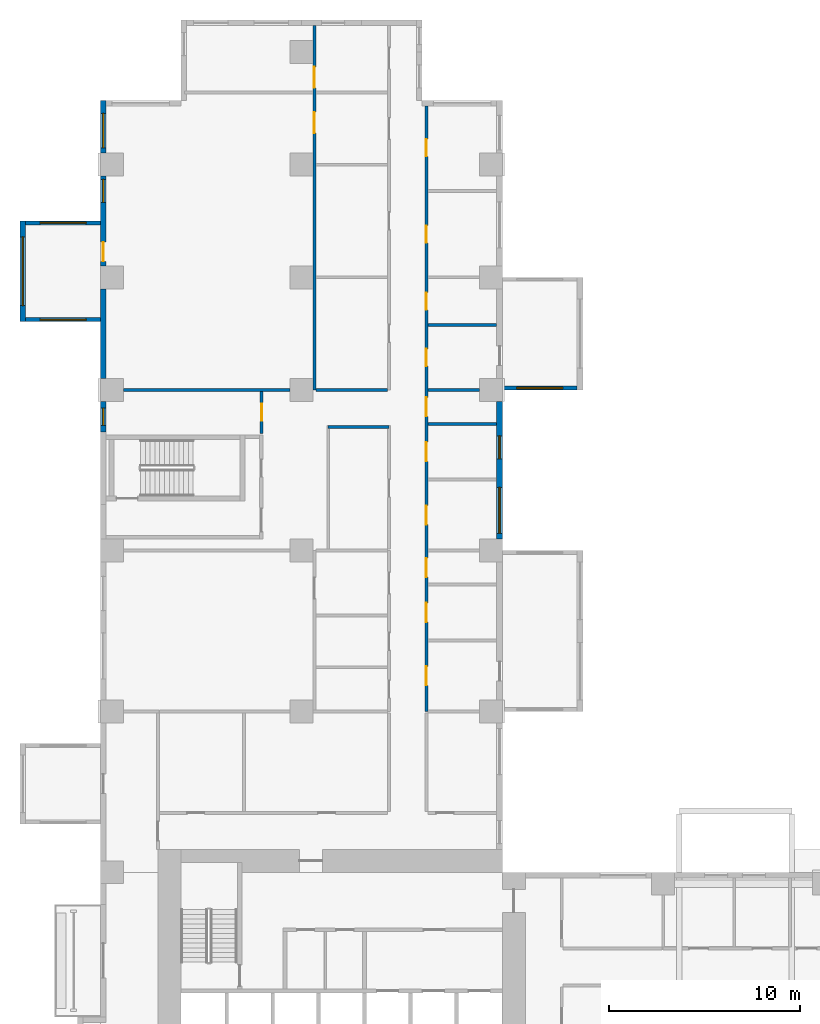
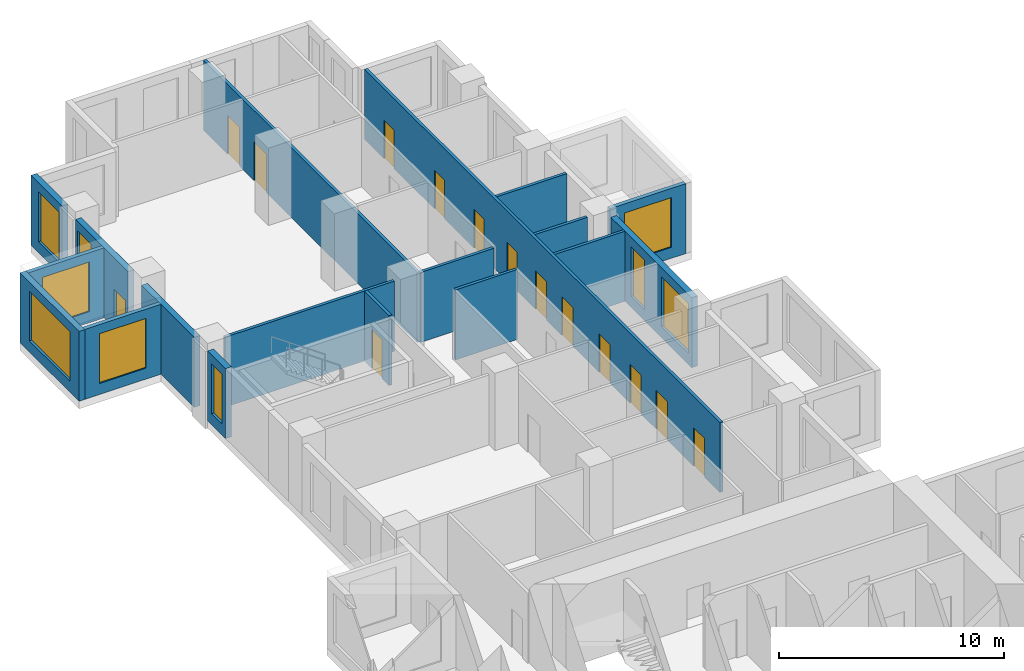
# One storey, part 9 of 17: 18 walls, 14 doors, 9 windows, 23 openings.
"""IFC4 building model written with IfcOpenShell, lengths in metres."""

from ifc_helpers import new_model, si_unit, direction, frame, frame_2d, origin, place, context, subcontext, project, spatial, rectangle, extrude, source, transform, mapped, material, layer, layer_set, type_object, element, fill, save


model = new_model("IFC4")

# Units and contexts
model_context = context("Model", 3, precision=1e-05, world=origin(), true_north=direction((0.0, 1.0)))
body_context = subcontext(model_context, "Body", "Model", "MODEL_VIEW")
ifc_project = project(units=[si_unit("LENGTHUNIT", "METRE"), si_unit("AREAUNIT", "SQUARE_METRE"), si_unit("VOLUMEUNIT", "CUBIC_METRE"), si_unit("PLANEANGLEUNIT", "RADIAN"), si_unit("MASSUNIT", "GRAM", prefix="KILO")], contexts=[model_context])

# Site, building, storey
site_placement = place(None, origin())
site = spatial("IfcSite", under=ifc_project, at=site_placement, CompositionType="ELEMENT")
building_placement = place(site_placement, origin())
building = spatial("IfcBuilding", under=site, at=building_placement, Name="Aurelian Terraces", CompositionType="ELEMENT")
storey_placement = place(building_placement, frame((0.0, 0.0, 48.9)))
storey = spatial("IfcBuildingStorey", under=building, at=storey_placement, Name="L09", CompositionType="ELEMENT", Elevation=48.9)

# Wall, opening, window
ifc_material_1 = material(Name="Concrete fc' 40 MPa", Category="concrete")
ifc_layer_1 = layer(ifc_material_1, 0.3)
ifc_layer_set_1 = layer_set([ifc_layer_1], Name="BOX BEARING WALL 300")
wall_type_1 = type_object("IfcWallType", Name="BOX BEARING WALL 300", PredefinedType="SOLIDWALL", material=ifc_layer_set_1)
wall_1_placement = place(storey_placement, frame((-4.05, 55.02, 0.0), z_axis=(0.0, 0.0, 1.0), x_axis=(0.0, -1.0, 0.0)))
wall_1 = element("IfcWall", 1, at=wall_1_placement, inside=storey, type_object=wall_type_1, Name="Box wall L09 J04", PredefinedType="SOLIDWALL", context=body_context, shape_type="SweptSolid", body=[
    extrude(rectangle(XDim=5.25, YDim=0.3, at=frame_2d((2.625, 0.0))), origin(), (0.0, 0.0, 1.0), 3.8),
])
shared_shape_1 = source(origin(), body_context, "Body", "SweptSolid", [
    extrude(rectangle(XDim=3.6, YDim=2.7, at=frame_2d((1.8, 1.35))), frame((0.0, 0.16, 0.0), z_axis=(0.0, -1.0, 0.0), x_axis=(1.0, 0.0, 0.0)), (0.0, 0.0, 1.0), 0.32),
])
opening_1_placement = place(wall_1_placement, frame((0.825, 0.0, 0.6)))
opening_1 = element("IfcOpeningElement", 2, at=opening_1_placement, cuts=wall_1, Name="Opening W3627", PredefinedType="OPENING", context=body_context, shape_type="MappedRepresentation", body=[
    mapped(shared_shape_1, transform((0.0, 0.0, 0.0), scale=1.0)),
])
ifc_material_2 = material(Name="Clear glazing", Category="glass")
window_type_1 = type_object("IfcWindowType", Name="W-3600x2700", PartitioningType="SINGLE_PANEL", PredefinedType="WINDOW", material=ifc_material_2)
shared_shape_2 = source(origin(), body_context, "Body", "SweptSolid", [
    extrude(rectangle(XDim=3.6, YDim=2.7, at=frame_2d((1.8, 1.35))), frame((0.0, 0.03, 0.0), z_axis=(0.0, -1.0, 0.0), x_axis=(1.0, 0.0, 0.0)), (0.0, 0.0, 1.0), 0.06),
])
window_1_placement = place(opening_1_placement, origin())
window_1 = element("IfcWindow", 3, at=window_1_placement, inside=storey, type_object=window_type_1, Name="Window L09 J04-F1", OverallHeight=2.7, OverallWidth=3.6, PartitioningType="SINGLE_PANEL", PredefinedType="WINDOW", context=body_context, shape_type="MappedRepresentation", body=[
    mapped(shared_shape_2, transform((0.0, 0.0, 0.0), scale=1.0)),
])
fill(opening_1, window_1)

# Wall, openings, doors
ifc_material_3 = material(Name="Gypsum board on steel studs", Category="steel")
ifc_layer_2 = layer(ifc_material_3, 0.15)
ifc_layer_set_2 = layer_set([ifc_layer_2], Name="Fire partition 150")
wall_type_2 = type_object("IfcWallType", Name="Fire partition 150", PredefinedType="PARTITIONING", material=ifc_layer_set_2)
wall_2_placement = place(storey_placement, frame((17.025, 61.02, 0.0), z_axis=(0.0, 0.0, 1.0), x_axis=(0.0, -1.0, 0.0)))
wall_2 = element("IfcWall", 4, at=wall_2_placement, inside=storey, type_object=wall_type_2, Name="Corridor wall", PredefinedType="PARTITIONING", context=body_context, shape_type="SweptSolid", body=[
    extrude(rectangle(XDim=31.62, YDim=0.15, at=frame_2d((15.81, 0.0))), origin(), (0.0, 0.0, 1.0), 3.8),
])
shared_shape_3 = source(origin(), body_context, "Body", "SweptSolid", [
    extrude(rectangle(XDim=1.0, YDim=2.1, at=frame_2d((0.5, 1.05))), frame((0.0, 0.085, 0.0), z_axis=(0.0, -1.0, 0.0), x_axis=(1.0, 0.0, 0.0)), (0.0, 0.0, 1.0), 0.17),
])
opening_2_placement = place(wall_2_placement, frame((29.2633, 0.0, 0.0)))
opening_2 = element("IfcOpeningElement", 5, at=opening_2_placement, cuts=wall_2, Name="Opening 709042", PredefinedType="OPENING", context=body_context, shape_type="MappedRepresentation", body=[
    mapped(shared_shape_3, transform((0.0, 0.0, 0.0), scale=1.0)),
])
opening_3_placement = place(wall_2_placement, frame((25.9514, 0.0, 0.0)))
opening_3 = element("IfcOpeningElement", 6, at=opening_3_placement, cuts=wall_2, Name="Opening 709043", PredefinedType="OPENING", context=body_context, shape_type="MappedRepresentation", body=[
    mapped(shared_shape_3, transform((0.0, 0.0, 0.0), scale=1.0)),
])
opening_4_placement = place(wall_2_placement, frame((23.608, 0.0, 0.0)))
opening_4 = element("IfcOpeningElement", 7, at=opening_4_placement, cuts=wall_2, Name="Opening 709044", PredefinedType="OPENING", context=body_context, shape_type="MappedRepresentation", body=[
    mapped(shared_shape_3, transform((0.0, 0.0, 0.0), scale=1.0)),
])
opening_5_placement = place(wall_2_placement, frame((20.8633, 0.0, 0.0)))
opening_5 = element("IfcOpeningElement", 8, at=opening_5_placement, cuts=wall_2, Name="Opening 709045", PredefinedType="OPENING", context=body_context, shape_type="MappedRepresentation", body=[
    mapped(shared_shape_3, transform((0.0, 0.0, 0.0), scale=1.0)),
])
opening_6_placement = place(wall_2_placement, frame((17.5514, 0.0, 0.0)))
opening_6 = element("IfcOpeningElement", 9, at=opening_6_placement, cuts=wall_2, Name="Opening 709046", PredefinedType="OPENING", context=body_context, shape_type="MappedRepresentation", body=[
    mapped(shared_shape_3, transform((0.0, 0.0, 0.0), scale=1.0)),
])
opening_7_placement = place(wall_2_placement, frame((15.208, 0.0, 0.0)))
opening_7 = element("IfcOpeningElement", 10, at=opening_7_placement, cuts=wall_2, Name="Opening 709047", PredefinedType="OPENING", context=body_context, shape_type="MappedRepresentation", body=[
    mapped(shared_shape_3, transform((0.0, 0.0, 0.0), scale=1.0)),
])
shared_shape_4 = source(origin(), body_context, "Body", "SweptSolid", [
    extrude(rectangle(XDim=0.9, YDim=2.1, at=frame_2d((0.45, 1.05))), frame((0.0, 0.085, 0.0), z_axis=(0.0, -1.0, 0.0), x_axis=(1.0, 0.0, 0.0)), (0.0, 0.0, 1.0), 0.17),
])
opening_8_placement = place(wall_2_placement, frame((12.6767, 0.0, 0.0)))
opening_8 = element("IfcOpeningElement", 11, at=opening_8_placement, cuts=wall_2, Name="Opening 709048", PredefinedType="OPENING", context=body_context, shape_type="MappedRepresentation", body=[
    mapped(shared_shape_4, transform((0.0, 0.0, 0.0), scale=1.0)),
])
opening_9_placement = place(wall_2_placement, frame((9.7367, 0.0, 0.0)))
opening_9 = element("IfcOpeningElement", 12, at=opening_9_placement, cuts=wall_2, Name="Opening 709049", PredefinedType="OPENING", context=body_context, shape_type="MappedRepresentation", body=[
    mapped(shared_shape_4, transform((0.0, 0.0, 0.0), scale=1.0)),
])
opening_10_placement = place(wall_2_placement, frame((6.2362, 0.0, 0.0)))
opening_10 = element("IfcOpeningElement", 13, at=opening_10_placement, cuts=wall_2, Name="Opening 709050", PredefinedType="OPENING", context=body_context, shape_type="MappedRepresentation", body=[
    mapped(shared_shape_4, transform((0.0, 0.0, 0.0), scale=1.0)),
])
opening_11_placement = place(wall_2_placement, frame((1.7288, 0.0, 0.0)))
opening_11 = element("IfcOpeningElement", 14, at=opening_11_placement, cuts=wall_2, Name="Opening 709051", PredefinedType="OPENING", context=body_context, shape_type="MappedRepresentation", body=[
    mapped(shared_shape_4, transform((0.0, 0.0, 0.0), scale=1.0)),
])
ifc_material_4 = material(Name="Timber door leaf", Category="wood")
door_type_1 = type_object("IfcDoorType", Name="Room door 1000x2100 right", OperationType="SINGLE_SWING_RIGHT", PredefinedType="DOOR", material=ifc_material_4)
shared_shape_5 = source(origin(), body_context, "Body", "SweptSolid", [
    extrude(rectangle(XDim=1.0, YDim=2.1, at=frame_2d((0.5, 1.05))), frame((0.0, 0.025, 0.0), z_axis=(0.0, -1.0, 0.0), x_axis=(1.0, 0.0, 0.0)), (0.0, 0.0, 1.0), 0.05),
])
door_1_placement = place(opening_2_placement, origin())
door_1 = element("IfcDoor", 15, at=door_1_placement, inside=storey, type_object=door_type_1, Name="Door 709042", OperationType="SINGLE_SWING_RIGHT", OverallHeight=2.1, OverallWidth=1.0, PredefinedType="DOOR", context=body_context, shape_type="MappedRepresentation", body=[
    mapped(shared_shape_5, transform((0.0, 0.0, 0.0), scale=1.0)),
])
fill(opening_2, door_1)
door_type_2 = type_object("IfcDoorType", Name="Room door 1000x2100 left", OperationType="SINGLE_SWING_LEFT", PredefinedType="DOOR", material=ifc_material_4)
door_2_placement = place(opening_3_placement, origin())
door_2 = element("IfcDoor", 16, at=door_2_placement, inside=storey, type_object=door_type_2, Name="Door 709043", OperationType="SINGLE_SWING_LEFT", OverallHeight=2.1, OverallWidth=1.0, PredefinedType="DOOR", context=body_context, shape_type="MappedRepresentation", body=[
    mapped(shared_shape_5, transform((0.0, 0.0, 0.0), scale=1.0)),
])
fill(opening_3, door_2)
door_3_placement = place(opening_4_placement, origin())
door_3 = element("IfcDoor", 17, at=door_3_placement, inside=storey, type_object=door_type_1, Name="Door 709044", OperationType="SINGLE_SWING_RIGHT", OverallHeight=2.1, OverallWidth=1.0, PredefinedType="DOOR", context=body_context, shape_type="MappedRepresentation", body=[
    mapped(shared_shape_5, transform((0.0, 0.0, 0.0), scale=1.0)),
])
fill(opening_4, door_3)
door_4_placement = place(opening_5_placement, origin())
door_4 = element("IfcDoor", 18, at=door_4_placement, inside=storey, type_object=door_type_1, Name="Door 709045", OperationType="SINGLE_SWING_RIGHT", OverallHeight=2.1, OverallWidth=1.0, PredefinedType="DOOR", context=body_context, shape_type="MappedRepresentation", body=[
    mapped(shared_shape_5, transform((0.0, 0.0, 0.0), scale=1.0)),
])
fill(opening_5, door_4)
door_5_placement = place(opening_6_placement, origin())
door_5 = element("IfcDoor", 19, at=door_5_placement, inside=storey, type_object=door_type_2, Name="Door 709046", OperationType="SINGLE_SWING_LEFT", OverallHeight=2.1, OverallWidth=1.0, PredefinedType="DOOR", context=body_context, shape_type="MappedRepresentation", body=[
    mapped(shared_shape_5, transform((0.0, 0.0, 0.0), scale=1.0)),
])
fill(opening_6, door_5)
door_6_placement = place(opening_7_placement, origin())
door_6 = element("IfcDoor", 20, at=door_6_placement, inside=storey, type_object=door_type_1, Name="Door 709047", OperationType="SINGLE_SWING_RIGHT", OverallHeight=2.1, OverallWidth=1.0, PredefinedType="DOOR", context=body_context, shape_type="MappedRepresentation", body=[
    mapped(shared_shape_5, transform((0.0, 0.0, 0.0), scale=1.0)),
])
fill(opening_7, door_6)
door_type_3 = type_object("IfcDoorType", Name="Room door 900x2100 right", OperationType="SINGLE_SWING_RIGHT", PredefinedType="DOOR", material=ifc_material_4)
shared_shape_6 = source(origin(), body_context, "Body", "SweptSolid", [
    extrude(rectangle(XDim=0.9, YDim=2.1, at=frame_2d((0.45, 1.05))), frame((0.0, 0.025, 0.0), z_axis=(0.0, -1.0, 0.0), x_axis=(1.0, 0.0, 0.0)), (0.0, 0.0, 1.0), 0.05),
])
door_7_placement = place(opening_8_placement, origin())
door_7 = element("IfcDoor", 21, at=door_7_placement, inside=storey, type_object=door_type_3, Name="Door 709048", OperationType="SINGLE_SWING_RIGHT", OverallHeight=2.1, OverallWidth=0.9, PredefinedType="DOOR", context=body_context, shape_type="MappedRepresentation", body=[
    mapped(shared_shape_6, transform((0.0, 0.0, 0.0), scale=1.0)),
])
fill(opening_8, door_7)
door_type_4 = type_object("IfcDoorType", Name="Room door 900x2100 left", OperationType="SINGLE_SWING_LEFT", PredefinedType="DOOR", material=ifc_material_4)
door_8_placement = place(opening_9_placement, origin())
door_8 = element("IfcDoor", 22, at=door_8_placement, inside=storey, type_object=door_type_4, Name="Door 709049", OperationType="SINGLE_SWING_LEFT", OverallHeight=2.1, OverallWidth=0.9, PredefinedType="DOOR", context=body_context, shape_type="MappedRepresentation", body=[
    mapped(shared_shape_6, transform((0.0, 0.0, 0.0), scale=1.0)),
])
fill(opening_9, door_8)
door_9_placement = place(opening_10_placement, origin())
door_9 = element("IfcDoor", 23, at=door_9_placement, inside=storey, type_object=door_type_3, Name="Door 709050", OperationType="SINGLE_SWING_RIGHT", OverallHeight=2.1, OverallWidth=0.9, PredefinedType="DOOR", context=body_context, shape_type="MappedRepresentation", body=[
    mapped(shared_shape_6, transform((0.0, 0.0, 0.0), scale=1.0)),
])
fill(opening_10, door_9)
door_10_placement = place(opening_11_placement, origin())
door_10 = element("IfcDoor", 24, at=door_10_placement, inside=storey, type_object=door_type_4, Name="Door 709051", OperationType="SINGLE_SWING_LEFT", OverallHeight=2.1, OverallWidth=0.9, PredefinedType="DOOR", context=body_context, shape_type="MappedRepresentation", body=[
    mapped(shared_shape_6, transform((0.0, 0.0, 0.0), scale=1.0)),
])
fill(opening_11, door_10)

# Wall
ifc_layer_3 = layer(ifc_material_3, 0.15)
ifc_layer_set_3 = layer_set([ifc_layer_3], Name="Partition 150")
wall_type_3 = type_object("IfcWallType", Name="Partition 150", PredefinedType="PARTITIONING", material=ifc_layer_set_3)
wall_3_placement = place(storey_placement, frame((15.075, 44.25, 0.0), z_axis=(0.0, 0.0, 1.0), x_axis=(-1.0, 0.0, 0.0)))
element("IfcWall", 25, at=wall_3_placement, inside=storey, type_object=wall_type_3, Name="Partition", PredefinedType="PARTITIONING", context=body_context, shape_type="SweptSolid", body=[
    extrude(rectangle(XDim=3.175, YDim=0.15, at=frame_2d((1.5875, 0.0))), origin(), (0.0, 0.0, 1.0), 3.8),
])

# Wall, openings, windows
ifc_material_5 = material(Name="Terracotta rainscreen cladding", Category="masonry")
ifc_layer_4 = layer(ifc_material_5, 0.3)
ifc_layer_set_4 = layer_set([ifc_layer_4], Name="EW-300")
wall_type_4 = type_object("IfcWallType", Name="EW-300", PredefinedType="STANDARD", material=ifc_layer_set_4)
shared_shape_7 = source(origin(), body_context, "Body", "SweptSolid", [
    extrude(rectangle(XDim=7.2, YDim=0.3, at=frame_2d((3.6, 0.0))), origin(), (0.0, 0.0, 1.0), 3.8),
])
wall_4_placement = place(storey_placement, frame((20.85, 38.4, 0.0), z_axis=(0.0, 0.0, 1.0), x_axis=(0.0, 1.0, 0.0)))
wall_4 = element("IfcWall", 26, at=wall_4_placement, inside=storey, type_object=wall_type_4, Name="External wall L09 F12.28", PredefinedType="STANDARD", context=body_context, shape_type="MappedRepresentation", body=[
    mapped(shared_shape_7, transform((0.0, 0.0, 0.0), scale=1.0)),
])
shared_shape_8 = source(origin(), body_context, "Body", "SweptSolid", [
    extrude(rectangle(XDim=2.4, YDim=2.7, at=frame_2d((1.2, 1.35))), frame((0.0, 0.16, 0.0), z_axis=(0.0, -1.0, 0.0), x_axis=(1.0, 0.0, 0.0)), (0.0, 0.0, 1.0), 0.32),
])
opening_12_placement = place(wall_4_placement, frame((0.3, 0.0, 0.6)))
opening_12 = element("IfcOpeningElement", 27, at=opening_12_placement, cuts=wall_4, Name="Opening W2427", PredefinedType="OPENING", context=body_context, shape_type="MappedRepresentation", body=[
    mapped(shared_shape_8, transform((0.0, 0.0, 0.0), scale=1.0)),
])
shared_shape_9 = source(origin(), body_context, "Body", "SweptSolid", [
    extrude(rectangle(XDim=1.2, YDim=2.7, at=frame_2d((0.6, 1.35))), frame((0.0, 0.16, 0.0), z_axis=(0.0, -1.0, 0.0), x_axis=(1.0, 0.0, 0.0)), (0.0, 0.0, 1.0), 0.32),
])
opening_13_placement = place(wall_4_placement, frame((4.1995, 0.0, 0.6)))
opening_13 = element("IfcOpeningElement", 28, at=opening_13_placement, cuts=wall_4, Name="Opening W1227", PredefinedType="OPENING", context=body_context, shape_type="MappedRepresentation", body=[
    mapped(shared_shape_9, transform((0.0, 0.0, 0.0), scale=1.0)),
])
window_type_2 = type_object("IfcWindowType", Name="W-2400x2700", PartitioningType="SINGLE_PANEL", PredefinedType="WINDOW", material=ifc_material_2)
shared_shape_10 = source(origin(), body_context, "Body", "SweptSolid", [
    extrude(rectangle(XDim=2.4, YDim=2.7, at=frame_2d((1.2, 1.35))), frame((0.0, 0.03, 0.0), z_axis=(0.0, -1.0, 0.0), x_axis=(1.0, 0.0, 0.0)), (0.0, 0.0, 1.0), 0.06),
])
window_2_placement = place(opening_12_placement, origin())
window_2 = element("IfcWindow", 29, at=window_2_placement, inside=storey, type_object=window_type_2, Name="Window L09 L09-F12-28-0", OverallHeight=2.7, OverallWidth=2.4, PartitioningType="SINGLE_PANEL", PredefinedType="WINDOW", context=body_context, shape_type="MappedRepresentation", body=[
    mapped(shared_shape_10, transform((0.0, 0.0, 0.0), scale=1.0)),
])
fill(opening_12, window_2)
window_type_3 = type_object("IfcWindowType", Name="W-1200x2700", PartitioningType="SINGLE_PANEL", PredefinedType="WINDOW", material=ifc_material_2)
shared_shape_11 = source(origin(), body_context, "Body", "SweptSolid", [
    extrude(rectangle(XDim=1.2, YDim=2.7, at=frame_2d((0.6, 1.35))), frame((0.0, 0.03, 0.0), z_axis=(0.0, -1.0, 0.0), x_axis=(1.0, 0.0, 0.0)), (0.0, 0.0, 1.0), 0.06),
])
window_3_placement = place(opening_13_placement, origin())
window_3 = element("IfcWindow", 30, at=window_3_placement, inside=storey, type_object=window_type_3, Name="Window L09 L09-F12-28-G0-33", OverallHeight=2.7, OverallWidth=1.2, PartitioningType="SINGLE_PANEL", PredefinedType="WINDOW", context=body_context, shape_type="MappedRepresentation", body=[
    mapped(shared_shape_11, transform((0.0, 0.0, 0.0), scale=1.0)),
])
fill(opening_13, window_3)

# Wall, openings, window, door
shared_shape_12 = source(origin(), body_context, "Body", "SweptSolid", [
    extrude(rectangle(XDim=4.68, YDim=0.3, at=frame_2d((2.34, 0.0))), origin(), (0.0, 0.0, 1.0), 3.8),
])
wall_5_placement = place(storey_placement, frame((0.15, 57.36, 0.0), z_axis=(0.0, 0.0, 1.0), x_axis=(0.0, -1.0, 0.0)))
wall_5 = element("IfcWall", 31, at=wall_5_placement, inside=storey, type_object=wall_type_4, Name="External wall L09 F18.40", PredefinedType="STANDARD", context=body_context, shape_type="MappedRepresentation", body=[
    mapped(shared_shape_12, transform((0.0, 0.0, 0.0), scale=1.0)),
])
opening_14_placement = place(wall_5_placement, frame((0.165, 0.0, 0.6)))
opening_14 = element("IfcOpeningElement", 32, at=opening_14_placement, cuts=wall_5, Name="Opening W1227", PredefinedType="OPENING", context=body_context, shape_type="MappedRepresentation", body=[
    mapped(shared_shape_9, transform((0.0, 0.0, 0.0), scale=1.0)),
])
shared_shape_13 = source(origin(), body_context, "Body", "SweptSolid", [
    extrude(rectangle(XDim=1.0, YDim=2.1, at=frame_2d((0.5, 1.05))), frame((0.0, 0.16, 0.0), z_axis=(0.0, -1.0, 0.0), x_axis=(1.0, 0.0, 0.0)), (0.0, 0.0, 1.0), 0.32),
])
opening_15_placement = place(wall_5_placement, frame((3.4442, 0.0, 0.0)))
opening_15 = element("IfcOpeningElement", 33, at=opening_15_placement, cuts=wall_5, Name="Opening 809004", PredefinedType="OPENING", context=body_context, shape_type="MappedRepresentation", body=[
    mapped(shared_shape_13, transform((0.0, 0.0, 0.0), scale=1.0)),
])
window_4_placement = place(opening_14_placement, origin())
window_4 = element("IfcWindow", 34, at=window_4_placement, inside=storey, type_object=window_type_3, Name="Window L09 L09-F18-40-1", OverallHeight=2.7, OverallWidth=1.2, PartitioningType="SINGLE_PANEL", PredefinedType="WINDOW", context=body_context, shape_type="MappedRepresentation", body=[
    mapped(shared_shape_11, transform((0.0, 0.0, 0.0), scale=1.0)),
])
fill(opening_14, window_4)
door_11_placement = place(opening_15_placement, origin())
door_11 = element("IfcDoor", 35, at=door_11_placement, inside=storey, type_object=door_type_2, Name="Door 809004", OperationType="SINGLE_SWING_LEFT", OverallHeight=2.1, OverallWidth=1.0, PredefinedType="DOOR", context=body_context, shape_type="MappedRepresentation", body=[
    mapped(shared_shape_5, transform((0.0, 0.0, 0.0), scale=1.0)),
])
fill(opening_15, door_11)

# Wall
wall_6_placement = place(storey_placement, frame((0.15, 51.48, 0.0), z_axis=(0.0, 0.0, 1.0), x_axis=(0.0, -1.0, 0.0)))
element("IfcWall", 36, at=wall_6_placement, inside=storey, type_object=wall_type_4, Name="External wall L09 F18.40", PredefinedType="STANDARD", context=body_context, shape_type="MappedRepresentation", body=[
    mapped(shared_shape_12, transform((0.0, 0.0, 0.0), scale=1.0)),
])

# Wall, opening, window
shared_shape_14 = source(origin(), body_context, "Body", "SweptSolid", [
    extrude(rectangle(XDim=2.76, YDim=0.3, at=frame_2d((1.38, 0.0))), origin(), (0.0, 0.0, 1.0), 3.8),
])
wall_7_placement = place(storey_placement, frame((0.15, 61.32, 0.0), z_axis=(0.0, 0.0, 1.0), x_axis=(0.0, -1.0, 0.0)))
wall_7 = element("IfcWall", 37, at=wall_7_placement, inside=storey, type_object=wall_type_4, Name="External wall L09 F18.40", PredefinedType="STANDARD", context=body_context, shape_type="MappedRepresentation", body=[
    mapped(shared_shape_14, transform((0.0, 0.0, 0.0), scale=1.0)),
])
shared_shape_15 = source(origin(), body_context, "Body", "SweptSolid", [
    extrude(rectangle(XDim=1.8, YDim=2.7, at=frame_2d((0.9, 1.35))), frame((0.0, 0.16, 0.0), z_axis=(0.0, -1.0, 0.0), x_axis=(1.0, 0.0, 0.0)), (0.0, 0.0, 1.0), 0.32),
])
opening_16_placement = place(wall_7_placement, frame((0.675, 0.0, 0.6)))
opening_16 = element("IfcOpeningElement", 38, at=opening_16_placement, cuts=wall_7, Name="Opening W1827", PredefinedType="OPENING", context=body_context, shape_type="MappedRepresentation", body=[
    mapped(shared_shape_15, transform((0.0, 0.0, 0.0), scale=1.0)),
])
window_type_4 = type_object("IfcWindowType", Name="W-1800x2700", PartitioningType="SINGLE_PANEL", PredefinedType="WINDOW", material=ifc_material_2)
shared_shape_16 = source(origin(), body_context, "Body", "SweptSolid", [
    extrude(rectangle(XDim=1.8, YDim=2.7, at=frame_2d((0.9, 1.35))), frame((0.0, 0.03, 0.0), z_axis=(0.0, -1.0, 0.0), x_axis=(1.0, 0.0, 0.0)), (0.0, 0.0, 1.0), 0.06),
])
window_5_placement = place(opening_16_placement, origin())
window_5 = element("IfcWindow", 39, at=window_5_placement, inside=storey, type_object=window_type_4, Name="Window L09 L09-F18-40-0", OverallHeight=2.7, OverallWidth=1.8, PartitioningType="SINGLE_PANEL", PredefinedType="WINDOW", context=body_context, shape_type="MappedRepresentation", body=[
    mapped(shared_shape_16, transform((0.0, 0.0, 0.0), scale=1.0)),
])
fill(opening_16, window_5)

shared_shape_17 = source(origin(), body_context, "Body", "SweptSolid", [
    extrude(rectangle(XDim=1.6, YDim=0.3, at=frame_2d((0.8, 0.0))), origin(), (0.0, 0.0, 1.0), 3.8),
])
wall_8_placement = place(storey_placement, frame((0.15, 45.6, 0.0), z_axis=(0.0, 0.0, 1.0), x_axis=(0.0, -1.0, 0.0)))
wall_8 = element("IfcWall", 40, at=wall_8_placement, inside=storey, type_object=wall_type_4, Name="External wall L09 F18.40", PredefinedType="STANDARD", context=body_context, shape_type="MappedRepresentation", body=[
    mapped(shared_shape_17, transform((0.0, 0.0, 0.0), scale=1.0)),
])
shared_shape_18 = source(origin(), body_context, "Body", "SweptSolid", [
    extrude(rectangle(XDim=0.9, YDim=2.7, at=frame_2d((0.45, 1.35))), frame((0.0, 0.16, 0.0), z_axis=(0.0, -1.0, 0.0), x_axis=(1.0, 0.0, 0.0)), (0.0, 0.0, 1.0), 0.32),
])
opening_17_placement = place(wall_8_placement, frame((0.35, 0.0, 0.6)))
opening_17 = element("IfcOpeningElement", 41, at=opening_17_placement, cuts=wall_8, Name="Opening W0927", PredefinedType="OPENING", context=body_context, shape_type="MappedRepresentation", body=[
    mapped(shared_shape_18, transform((0.0, 0.0, 0.0), scale=1.0)),
])
window_type_5 = type_object("IfcWindowType", Name="W-900x2700", PartitioningType="SINGLE_PANEL", PredefinedType="WINDOW", material=ifc_material_2)
shared_shape_19 = source(origin(), body_context, "Body", "SweptSolid", [
    extrude(rectangle(XDim=0.9, YDim=2.7, at=frame_2d((0.45, 1.35))), frame((0.0, 0.03, 0.0), z_axis=(0.0, -1.0, 0.0), x_axis=(1.0, 0.0, 0.0)), (0.0, 0.0, 1.0), 0.06),
])
window_6_placement = place(opening_17_placement, origin())
window_6 = element("IfcWindow", 42, at=window_6_placement, inside=storey, type_object=window_type_5, Name="Window L09 L09-F18-40-P3", OverallHeight=2.7, OverallWidth=0.9, PartitioningType="SINGLE_PANEL", PredefinedType="WINDOW", context=body_context, shape_type="MappedRepresentation", body=[
    mapped(shared_shape_19, transform((0.0, 0.0, 0.0), scale=1.0)),
])
fill(opening_17, window_6)

ifc_layer_5 = layer(ifc_material_1, 0.2)
ifc_layer_set_5 = layer_set([ifc_layer_5], Name="BOX BEARING WALL 200")
wall_type_5 = type_object("IfcWallType", Name="BOX BEARING WALL 200", PredefinedType="SOLIDWALL", material=ifc_layer_set_5)
shared_shape_20 = source(origin(), body_context, "Body", "SweptSolid", [
    extrude(rectangle(XDim=3.9, YDim=0.2, at=frame_2d((1.95, 0.0))), origin(), (0.0, 0.0, 1.0), 3.8),
])
wall_9_placement = place(storey_placement, frame((21.0, 46.3, 0.0), z_axis=(0.0, 0.0, 1.0), x_axis=(1.0, 0.0, 0.0)))
wall_9 = element("IfcWall", 43, at=wall_9_placement, inside=storey, type_object=wall_type_5, Name="Box return L09 J02.1", PredefinedType="SOLIDWALL", context=body_context, shape_type="MappedRepresentation", body=[
    mapped(shared_shape_20, transform((0.0, 0.0, 0.0), scale=1.0)),
])
shared_shape_21 = source(origin(), body_context, "Body", "SweptSolid", [
    extrude(rectangle(XDim=2.4, YDim=2.7, at=frame_2d((1.2, 1.35))), frame((0.0, 0.11, 0.0), z_axis=(0.0, -1.0, 0.0), x_axis=(1.0, 0.0, 0.0)), (0.0, 0.0, 1.0), 0.22),
])
opening_18_placement = place(wall_9_placement, frame((0.75, 0.0, 0.6)))
opening_18 = element("IfcOpeningElement", 44, at=opening_18_placement, cuts=wall_9, Name="Opening W2427", PredefinedType="OPENING", context=body_context, shape_type="MappedRepresentation", body=[
    mapped(shared_shape_21, transform((0.0, 0.0, 0.0), scale=1.0)),
])
window_7_placement = place(opening_18_placement, origin())
window_7 = element("IfcWindow", 45, at=window_7_placement, inside=storey, type_object=window_type_2, Name="Window L09 J02-S1", OverallHeight=2.7, OverallWidth=2.4, PartitioningType="SINGLE_PANEL", PredefinedType="WINDOW", context=body_context, shape_type="MappedRepresentation", body=[
    mapped(shared_shape_10, transform((0.0, 0.0, 0.0), scale=1.0)),
])
fill(opening_18, window_7)

wall_10_placement = place(storey_placement, frame((0.0, 54.92, 0.0), z_axis=(0.0, 0.0, 1.0), x_axis=(-1.0, 0.0, 0.0)))
wall_10 = element("IfcWall", 46, at=wall_10_placement, inside=storey, type_object=wall_type_5, Name="Box return L09 J04.1", PredefinedType="SOLIDWALL", context=body_context, shape_type="MappedRepresentation", body=[
    mapped(shared_shape_20, transform((0.0, 0.0, 0.0), scale=1.0)),
])
opening_19_placement = place(wall_10_placement, frame((0.75, 0.0, 0.6)))
opening_19 = element("IfcOpeningElement", 47, at=opening_19_placement, cuts=wall_10, Name="Opening W2427", PredefinedType="OPENING", context=body_context, shape_type="MappedRepresentation", body=[
    mapped(shared_shape_21, transform((0.0, 0.0, 0.0), scale=1.0)),
])
window_8_placement = place(opening_19_placement, origin())
window_8 = element("IfcWindow", 48, at=window_8_placement, inside=storey, type_object=window_type_2, Name="Window L09 J04-S1", OverallHeight=2.7, OverallWidth=2.4, PartitioningType="SINGLE_PANEL", PredefinedType="WINDOW", context=body_context, shape_type="MappedRepresentation", body=[
    mapped(shared_shape_10, transform((0.0, 0.0, 0.0), scale=1.0)),
])
fill(opening_19, window_8)

wall_11_placement = place(storey_placement, frame((0.0, 49.87, 0.0), z_axis=(0.0, 0.0, 1.0), x_axis=(-1.0, 0.0, 0.0)))
wall_11 = element("IfcWall", 49, at=wall_11_placement, inside=storey, type_object=wall_type_5, Name="Box return L09 J04.2", PredefinedType="SOLIDWALL", context=body_context, shape_type="MappedRepresentation", body=[
    mapped(shared_shape_20, transform((0.0, 0.0, 0.0), scale=1.0)),
])
opening_20_placement = place(wall_11_placement, frame((0.75, 0.0, 0.6)))
opening_20 = element("IfcOpeningElement", 50, at=opening_20_placement, cuts=wall_11, Name="Opening W2427", PredefinedType="OPENING", context=body_context, shape_type="MappedRepresentation", body=[
    mapped(shared_shape_21, transform((0.0, 0.0, 0.0), scale=1.0)),
])
window_9_placement = place(opening_20_placement, origin())
window_9 = element("IfcWindow", 51, at=window_9_placement, inside=storey, type_object=window_type_2, Name="Window L09 J04-S2", OverallHeight=2.7, OverallWidth=2.4, PartitioningType="SINGLE_PANEL", PredefinedType="WINDOW", context=body_context, shape_type="MappedRepresentation", body=[
    mapped(shared_shape_10, transform((0.0, 0.0, 0.0), scale=1.0)),
])
fill(opening_20, window_9)

# Walls
shared_shape_22 = source(origin(), body_context, "Body", "SweptSolid", [
    extrude(rectangle(XDim=3.75, YDim=0.15, at=frame_2d((1.875, 0.0))), origin(), (0.0, 0.0, 1.0), 3.8),
])
wall_12_placement = place(storey_placement, frame((15.0, 46.2, 0.0), z_axis=(0.0, 0.0, 1.0), x_axis=(-1.0, 0.0, 0.0)))
element("IfcWall", 52, at=wall_12_placement, inside=storey, type_object=wall_type_3, Name="Partition", PredefinedType="PARTITIONING", context=body_context, shape_type="MappedRepresentation", body=[
    mapped(shared_shape_22, transform((0.0, 0.0, 0.0), scale=1.0)),
])
shared_shape_23 = source(origin(), body_context, "Body", "SweptSolid", [
    extrude(rectangle(XDim=8.702, YDim=0.15, at=frame_2d((4.351, 0.0))), origin(), (0.0, 0.0, 1.0), 3.8),
])
wall_13_placement = place(storey_placement, frame((9.901, 46.2, 0.0), z_axis=(0.0, 0.0, 1.0), x_axis=(-1.0, 0.0, 0.0)))
element("IfcWall", 53, at=wall_13_placement, inside=storey, type_object=wall_type_3, Name="Partition", PredefinedType="PARTITIONING", context=body_context, shape_type="MappedRepresentation", body=[
    mapped(shared_shape_23, transform((0.0, 0.0, 0.0), scale=1.0)),
])
shared_shape_24 = source(origin(), body_context, "Body", "SweptSolid", [
    extrude(rectangle(XDim=3.6, YDim=0.15, at=frame_2d((1.8, 0.0))), origin(), (0.0, 0.0, 1.0), 3.8),
])
for number, where, z_axis, x_axis, name in (
    (54, (17.1, 44.424, 0.0), (0.0, 0.0, 1.0), (1.0, 0.0, 0.0), "Partition"),
    (55, (17.1, 49.5866, 0.0), (0.0, 0.0, 1.0), (1.0, 0.0, 0.0), "Partition"),
):
    element("IfcWall", number, at=place(storey_placement, frame(where, z_axis=z_axis, x_axis=x_axis)), inside=storey, type_object=wall_type_3, Name=name, PredefinedType="PARTITIONING", context=body_context, shape_type="MappedRepresentation", body=[
        mapped(shared_shape_24, transform((0.0, 0.0, 0.0), scale=1.0)),
    ])
shared_shape_25 = source(origin(), body_context, "Body", "SweptSolid", [
    extrude(rectangle(XDim=2.701, YDim=0.15, at=frame_2d((1.3505, 0.0))), origin(), (0.0, 0.0, 1.0), 3.8),
])
wall_14_placement = place(storey_placement, frame((19.801, 46.2, 0.0), z_axis=(0.0, 0.0, 1.0), x_axis=(-1.0, 0.0, 0.0)))
element("IfcWall", 56, at=wall_14_placement, inside=storey, type_object=wall_type_3, Name="Partition", PredefinedType="PARTITIONING", context=body_context, shape_type="MappedRepresentation", body=[
    mapped(shared_shape_25, transform((0.0, 0.0, 0.0), scale=1.0)),
])

# Wall, opening, door
shared_shape_26 = source(origin(), body_context, "Body", "SweptSolid", [
    extrude(rectangle(XDim=2.2, YDim=0.15, at=frame_2d((1.1, 0.0))), origin(), (0.0, 0.0, 1.0), 3.8),
])
wall_15_placement = place(storey_placement, frame((8.425, 43.925, 0.0), z_axis=(0.0, 0.0, 1.0), x_axis=(0.0, 1.0, 0.0)))
wall_15 = element("IfcWall", 57, at=wall_15_placement, inside=storey, type_object=wall_type_3, Name="Partition", PredefinedType="PARTITIONING", context=body_context, shape_type="MappedRepresentation", body=[
    mapped(shared_shape_26, transform((0.0, 0.0, 0.0), scale=1.0)),
])
opening_21_placement = place(wall_15_placement, frame((0.65, 0.0, 0.0)))
opening_21 = element("IfcOpeningElement", 58, at=opening_21_placement, cuts=wall_15, Name="Opening 709031", PredefinedType="OPENING", context=body_context, shape_type="MappedRepresentation", body=[
    mapped(shared_shape_4, transform((0.0, 0.0, 0.0), scale=1.0)),
])
door_12_placement = place(opening_21_placement, origin())
door_12 = element("IfcDoor", 59, at=door_12_placement, inside=storey, type_object=door_type_4, Name="Door 709031", OperationType="SINGLE_SWING_LEFT", OverallHeight=2.1, OverallWidth=0.9, PredefinedType="DOOR", context=body_context, shape_type="MappedRepresentation", body=[
    mapped(shared_shape_6, transform((0.0, 0.0, 0.0), scale=1.0)),
])
fill(opening_21, door_12)

# Wall, openings, doors
shared_shape_27 = source(origin(), body_context, "Body", "SweptSolid", [
    extrude(rectangle(XDim=19.02, YDim=0.15, at=frame_2d((9.51, 0.0))), origin(), (0.0, 0.0, 1.0), 3.8),
])
wall_16_placement = place(storey_placement, frame((11.175, 46.2, 0.0), z_axis=(0.0, 0.0, 1.0), x_axis=(0.0, 1.0, 0.0)))
wall_16 = element("IfcWall", 60, at=wall_16_placement, inside=storey, type_object=wall_type_3, Name="Partition", PredefinedType="PARTITIONING", context=body_context, shape_type="MappedRepresentation", body=[
    mapped(shared_shape_27, transform((0.0, 0.0, 0.0), scale=1.0)),
])
shared_shape_28 = source(origin(), body_context, "Body", "SweptSolid", [
    extrude(rectangle(XDim=1.1, YDim=2.1, at=frame_2d((0.55, 1.05))), frame((0.0, 0.085, 0.0), z_axis=(0.0, -1.0, 0.0), x_axis=(1.0, 0.0, 0.0)), (0.0, 0.0, 1.0), 0.17),
])
opening_22_placement = place(wall_16_placement, frame((13.4125, 0.0, 0.0)))
opening_22 = element("IfcOpeningElement", 61, at=opening_22_placement, cuts=wall_16, Name="Opening 709037", PredefinedType="OPENING", context=body_context, shape_type="MappedRepresentation", body=[
    mapped(shared_shape_28, transform((0.0, 0.0, 0.0), scale=1.0)),
])
opening_23_placement = place(wall_16_placement, frame((15.7775, 0.0, 0.0)))
opening_23 = element("IfcOpeningElement", 62, at=opening_23_placement, cuts=wall_16, Name="Opening 709041", PredefinedType="OPENING", context=body_context, shape_type="MappedRepresentation", body=[
    mapped(shared_shape_28, transform((0.0, 0.0, 0.0), scale=1.0)),
])
door_type_5 = type_object("IfcDoorType", Name="Room door 1100x2100 left", OperationType="SINGLE_SWING_LEFT", PredefinedType="DOOR", material=ifc_material_4)
shared_shape_29 = source(origin(), body_context, "Body", "SweptSolid", [
    extrude(rectangle(XDim=1.1, YDim=2.1, at=frame_2d((0.55, 1.05))), frame((0.0, 0.025, 0.0), z_axis=(0.0, -1.0, 0.0), x_axis=(1.0, 0.0, 0.0)), (0.0, 0.0, 1.0), 0.05),
])
door_13_placement = place(opening_22_placement, origin())
door_13 = element("IfcDoor", 63, at=door_13_placement, inside=storey, type_object=door_type_5, Name="Door 709037", OperationType="SINGLE_SWING_LEFT", OverallHeight=2.1, OverallWidth=1.1, PredefinedType="DOOR", context=body_context, shape_type="MappedRepresentation", body=[
    mapped(shared_shape_29, transform((0.0, 0.0, 0.0), scale=1.0)),
])
fill(opening_22, door_13)
door_14_placement = place(opening_23_placement, origin())
door_14 = element("IfcDoor", 64, at=door_14_placement, inside=storey, type_object=door_type_5, Name="Door 709041", OperationType="SINGLE_SWING_LEFT", OverallHeight=2.1, OverallWidth=1.1, PredefinedType="DOOR", context=body_context, shape_type="MappedRepresentation", body=[
    mapped(shared_shape_29, transform((0.0, 0.0, 0.0), scale=1.0)),
])
fill(opening_23, door_14)

save(model, "model.ifc")
